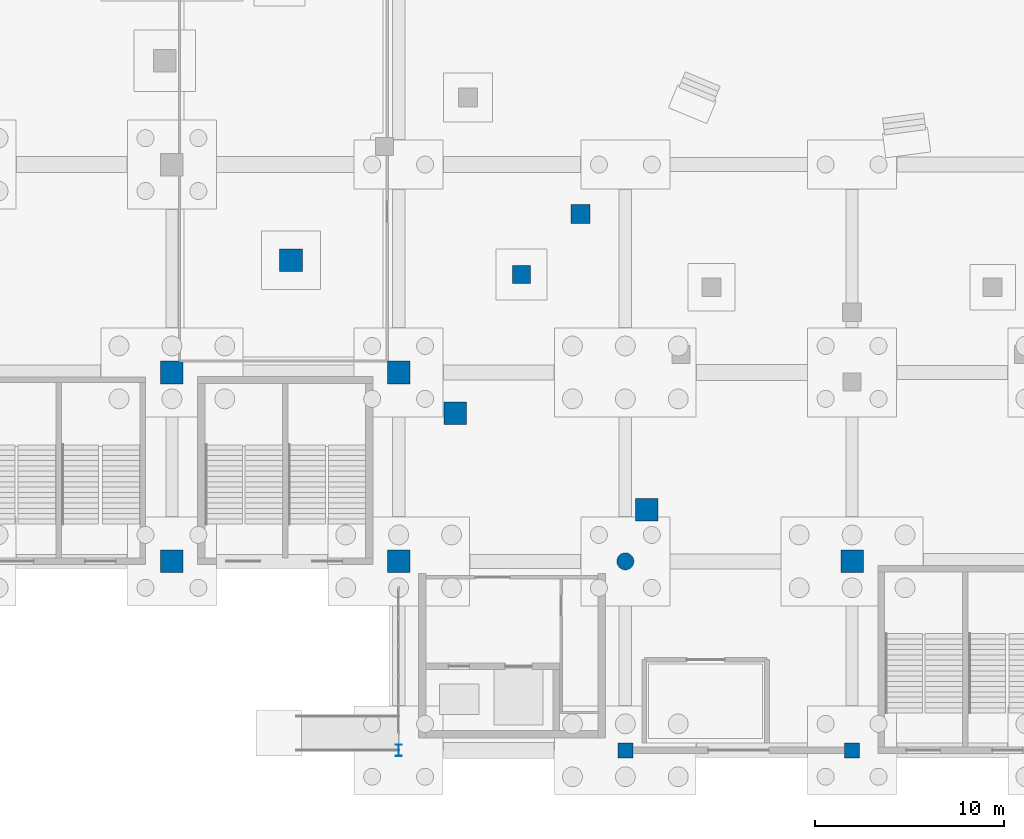
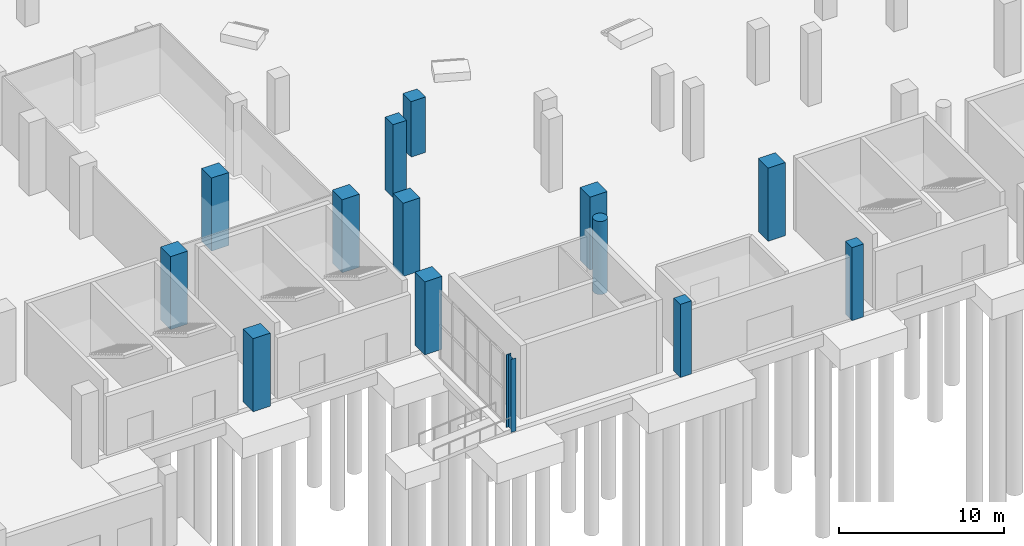
# One storey, part 14 of 70: 14 columns.
"""IFC4 building model written with IfcOpenShell, lengths in metres."""

from ifc_helpers import new_model, si_unit, direction, frame, origin, origin_2d, place, context, subcontext, project, spatial, rectangle, circle, i_section, extrude, material, material_profile, profile_set, type_object, element, save


model = new_model("IFC4")

# Units and contexts
model_context = context("Model", 3, precision=1e-05, world=origin(), true_north=direction((0.0, 1.0)))
body_context = subcontext(model_context, "Body", "Model", "MODEL_VIEW")
ifc_project = project(units=[si_unit("LENGTHUNIT", "METRE"), si_unit("AREAUNIT", "SQUARE_METRE"), si_unit("VOLUMEUNIT", "CUBIC_METRE"), si_unit("PLANEANGLEUNIT", "RADIAN"), si_unit("MASSUNIT", "GRAM", prefix="KILO")], contexts=[model_context])

# Site, building, storey
site_placement = place(None, origin())
site = spatial("IfcSite", under=ifc_project, at=site_placement, CompositionType="ELEMENT")
building_placement = place(site_placement, origin())
building = spatial("IfcBuilding", under=site, at=building_placement, Name="Brinegate Civic Arena", CompositionType="ELEMENT")
storey_placement = place(building_placement, origin())
storey = spatial("IfcBuildingStorey", under=building, at=storey_placement, Name="L00", CompositionType="ELEMENT", Elevation=0.0)

# Columns
ifc_material_1 = material(Name="Concrete C50/60", Category="concrete")
ifc_material_profile_1 = material_profile(ifc_material_1, rectangle(XDim=1.199951171875, YDim=1.199951171875, at=origin_2d()), Name="RC1200X1200")
ifc_profile_set_1 = profile_set([ifc_material_profile_1], Name="Concrete C50/60")
column_type_1 = type_object("IfcColumnType", Name="COL-CC01-1200", PredefinedType="COLUMN", material=ifc_profile_set_1)
for number, where, z_axis, x_axis, name in (
    (1, (72.0, 10.0, 0.0), (0.0, 0.0, 1.0), (1.0, 0.0, 0.0), "Column COL-L00-7-B"),
    (2, (72.0, 20.0, 0.0), (0.0, 0.0, 1.0), (1.0, 0.0, 0.0), "Column COL-L00-7-C"),
    (3, (84.0, 10.0, 0.0), (0.0, 0.0, 1.0), (1.0, 0.0, 0.0), "Column COL-L00-8-B"),
    (4, (84.0, 20.0, 0.0), (0.0, 0.0, 1.0), (1.0, 0.0, 0.0), "Column COL-L00-8-C"),
    (5, (108.0, 10.0, 0.0), (0.0, 0.0, 1.0), (1.0, 0.0, 0.0), "Column COL-L00-10-B"),
    (6, (78.302001953125, 25.93798828125, 0.0), (0.0, 0.0, 1.0), (1.0, 0.0, 0.0), "Bowl Raker Column OUT-16-L00"),
    (7, (87.0, 17.8330078125, 0.0), (0.0, 0.0, 1.0), (1.0, 0.0, 0.0), "Bowl Raker Column OUT-17-L00"),
    (8, (97.1298828125, 12.738037109375, 0.0), (0.0, 0.0, 1.0), (1.0, 0.0, 0.0), "Bowl Raker Column OUT-18-L00"),
):
    element("IfcColumn", number, at=place(storey_placement, frame(where, z_axis=z_axis, x_axis=x_axis)), inside=storey, type_object=column_type_1, Name=name, PredefinedType="COLUMN", context=body_context, shape_type="SweptSolid", body=[
        extrude(rectangle(XDim=1.199951171875, YDim=1.199951171875, at=origin_2d()), origin(), (0.0, 0.0, 1.0), 5.39990234375),
    ])
ifc_material_profile_2 = material_profile(ifc_material_1, rectangle(XDim=1.0, YDim=1.0, at=origin_2d()), Name="RC1000X1000")
ifc_profile_set_2 = profile_set([ifc_material_profile_2], Name="Concrete C50/60")
column_type_2 = type_object("IfcColumnType", Name="COL-CC03-1000", PredefinedType="COLUMN", material=ifc_profile_set_2)
column_1_placement = place(storey_placement, frame((93.625, 28.387939453125, 0.0), z_axis=(0.0, 0.0, 1.0), x_axis=(1.0, 0.0, 0.0)))
element("IfcColumn", 9, at=column_1_placement, inside=storey, type_object=column_type_2, Name="Bowl Raker Column MID-17", PredefinedType="COLUMN", context=body_context, shape_type="SweptSolid", body=[
    extrude(rectangle(XDim=1.0, YDim=1.0, at=origin_2d()), origin(), (0.0, 0.0, 1.0), 4.10009765625),
])
ifc_material_profile_3 = material_profile(ifc_material_1, rectangle(XDim=0.949951171875, YDim=0.949951171875, at=origin_2d()), Name="RC950X950")
ifc_profile_set_3 = profile_set([ifc_material_profile_3], Name="Concrete C50/60")
column_type_3 = type_object("IfcColumnType", Name="COL-CC04-950", PredefinedType="COLUMN", material=ifc_profile_set_3)
column_2_placement = place(storey_placement, frame((90.5, 25.194091796875, 0.0), z_axis=(0.0, 0.0, 1.0), x_axis=(1.0, 0.0, 0.0)))
element("IfcColumn", 10, at=column_2_placement, inside=storey, type_object=column_type_3, Name="Upper Raker Inner Column UIN-17-L00", PredefinedType="COLUMN", context=body_context, shape_type="SweptSolid", body=[
    extrude(rectangle(XDim=0.949951171875, YDim=0.949951171875, at=origin_2d()), origin(), (0.0, 0.0, 1.0), 5.39990234375),
])
ifc_material_profile_4 = material_profile(ifc_material_1, rectangle(XDim=0.800048828125, YDim=0.800048828125, at=origin_2d()), Name="RC800X800")
ifc_profile_set_4 = profile_set([ifc_material_profile_4], Name="Concrete C50/60")
column_type_4 = type_object("IfcColumnType", Name="COL-CC07-800", PredefinedType="COLUMN", material=ifc_profile_set_4)
for number, where, z_axis, x_axis, name in (
    (11, (96.0, 0.0, 0.0), (0.0, 0.0, 1.0), (1.0, 0.0, 0.0), "Column COL-L00-9-A"),
    (12, (108.0, 0.0, 0.0), (0.0, 0.0, 1.0), (1.0, 0.0, 0.0), "Column COL-L00-10-A"),
):
    element("IfcColumn", number, at=place(storey_placement, frame(where, z_axis=z_axis, x_axis=x_axis)), inside=storey, type_object=column_type_4, Name=name, PredefinedType="COLUMN", context=body_context, shape_type="SweptSolid", body=[
        extrude(rectangle(XDim=0.800048828125, YDim=0.800048828125, at=origin_2d()), origin(), (0.0, 0.0, 1.0), 5.39990234375),
    ])
ifc_material_profile_5 = material_profile(ifc_material_1, circle(Radius=0.449951171875, at=origin_2d()), Name="RCD900")
ifc_profile_set_5 = profile_set([ifc_material_profile_5], Name="Concrete C50/60")
column_type_5 = type_object("IfcColumnType", Name="COL-CC12-D900", PredefinedType="COLUMN", material=ifc_profile_set_5)
column_3_placement = place(storey_placement, frame((96.0, 10.0, 0.0), z_axis=(0.0, 0.0, 1.0), x_axis=(1.0, 0.0, 0.0)))
element("IfcColumn", 13, at=column_3_placement, inside=storey, type_object=column_type_5, Name="Column COL-L00-9-B", PredefinedType="COLUMN", context=body_context, shape_type="SweptSolid", body=[
    extrude(circle(Radius=0.449951171875, at=origin_2d()), origin(), (0.0, 0.0, 1.0), 5.39990234375),
])
ifc_material_2 = material(Name="Steel S355", Category="steel")
ifc_material_profile_6 = material_profile(ifc_material_2, i_section(OverallWidth=0.323974609375, OverallDepth=0.611083984375, WebThickness=0.012939453125, FlangeThickness=0.01904296875, FilletRadius=0.01611328125, at=origin_2d()), Name="W610X155")
ifc_profile_set_6 = profile_set([ifc_material_profile_6], Name="Steel S355")
column_type_6 = type_object("IfcColumnType", Name="COL-SC01-W610", PredefinedType="COLUMN", material=ifc_profile_set_6)
column_4_placement = place(storey_placement, frame((84.0, 0.0, 0.0), z_axis=(0.0, 0.0, 1.0), x_axis=(1.0, 0.0, 0.0)))
element("IfcColumn", 14, at=column_4_placement, inside=storey, type_object=column_type_6, Name="Column COL-L00-8-A", PredefinedType="COLUMN", context=body_context, shape_type="SweptSolid", body=[
    extrude(i_section(OverallWidth=0.323974609375, OverallDepth=0.611083984375, WebThickness=0.012939453125, FlangeThickness=0.01904296875, FilletRadius=0.01611328125, at=origin_2d()), origin(), (0.0, 0.0, 1.0), 5.39990234375),
])

save(model, "model.ifc")
